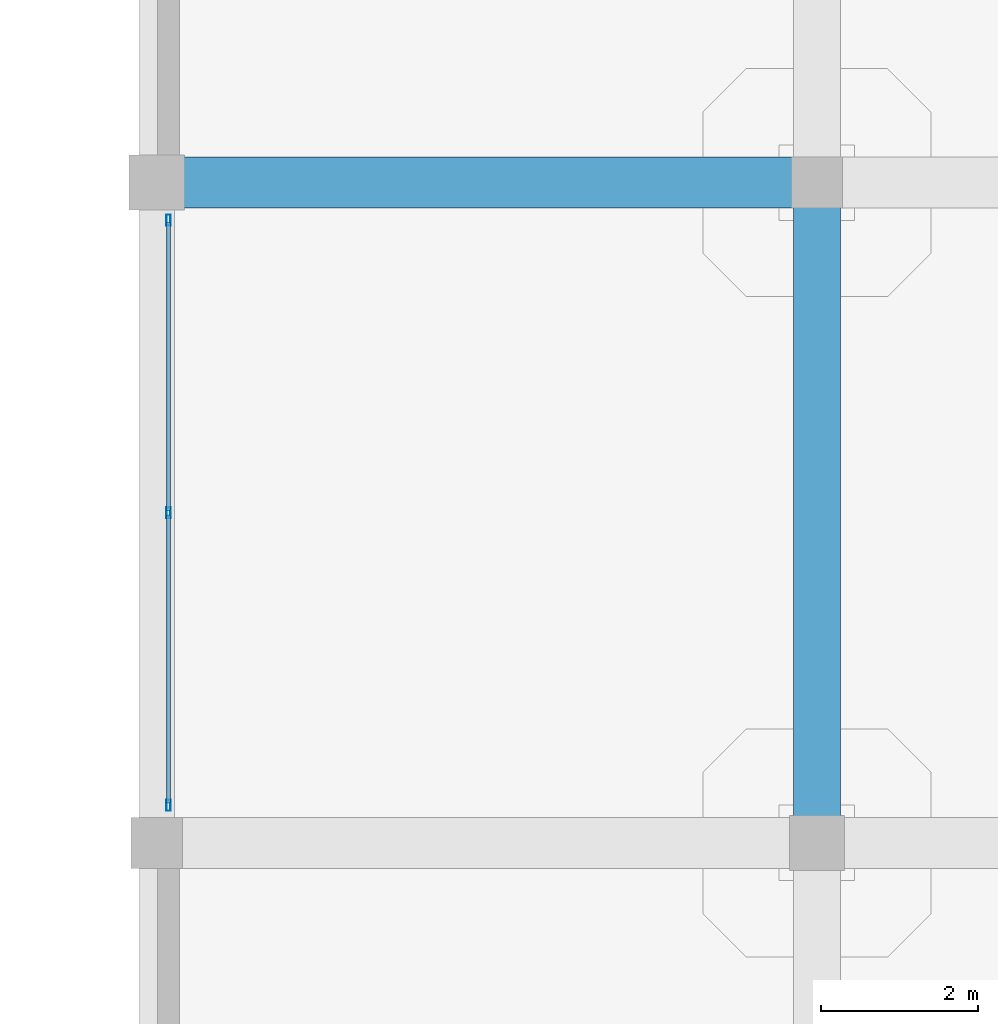
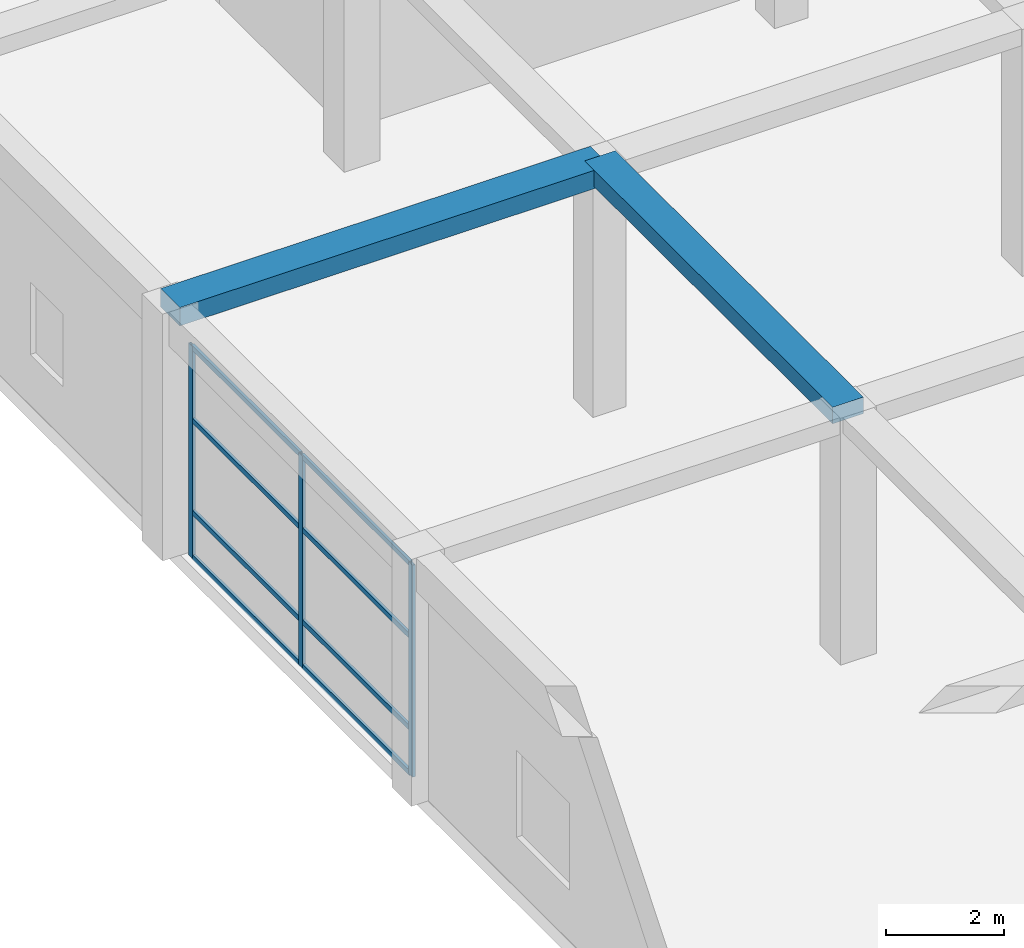
# One storey, part 31 of 96: 11 members, 2 beams, 1 element without a shape of its own.
"""IFC4 building model written with IfcOpenShell, lengths in metres."""

from ifc_helpers import new_model, si_unit, direction, frame, origin, origin_2d, place, context, subcontext, project, spatial, rectangle, hollow_rectangle, extrude, material, material_profile, profile_set, type_object, element, aggregate, save


model = new_model("IFC4")

# Units and contexts
model_context = context("Model", 3, precision=1e-05, world=origin(), true_north=direction((0.0, 1.0)))
body_context = subcontext(model_context, "Body", "Model", "MODEL_VIEW")
ifc_project = project(units=[si_unit("LENGTHUNIT", "METRE"), si_unit("AREAUNIT", "SQUARE_METRE"), si_unit("VOLUMEUNIT", "CUBIC_METRE"), si_unit("PLANEANGLEUNIT", "RADIAN"), si_unit("MASSUNIT", "GRAM", prefix="KILO")], contexts=[model_context])

# Site, building, storey
site_placement = place(None, origin())
site = spatial("IfcSite", under=ifc_project, at=site_placement, CompositionType="ELEMENT")
building_placement = place(site_placement, origin())
building = spatial("IfcBuilding", under=site, at=building_placement, Name="Almacenes y Pasaje Nevantli", CompositionType="ELEMENT")
storey_placement = place(building_placement, frame((0.0, 0.0, 6.0)))
storey = spatial("IfcBuildingStorey", under=building, at=storey_placement, Name="L02", CompositionType="ELEMENT", Elevation=6.0)

# Beams
ifc_material_1 = material(Name="Concrete C35/45", Category="concrete")
ifc_material_profile_1 = material_profile(ifc_material_1, rectangle(XDim=0.60009765625, YDim=0.340087890625, at=origin_2d()), Name="RC-BM-600x340")
ifc_profile_set_1 = profile_set([ifc_material_profile_1], Name="Concrete C35/45")
beam_type_1 = type_object("IfcBeamType", Name="BM-RC-600x340", PredefinedType="BEAM", material=ifc_profile_set_1)
beam_1_placement = place(storey_placement, frame((8.39990234375, 75.60009765625, 4.929931640625), z_axis=(0.0, 1.0, 0.0), x_axis=(-1.0, 0.0, 0.0)))
element("IfcBeam", 1, at=beam_1_placement, inside=storey, type_object=beam_type_1, Name="L02 North-South Reinforced Concrete Beam #1983", PredefinedType="BEAM", context=body_context, shape_type="SweptSolid", body=[
    extrude(rectangle(XDim=0.60009765625, YDim=0.340087890625, at=origin_2d()), origin(), (0.0, 0.0, 1.0), 8.39990234375),
])
ifc_material_2 = material(Name="Concrete C35/45", Category="concrete")
ifc_material_profile_2 = material_profile(ifc_material_2, rectangle(XDim=0.64990234375, YDim=0.3798828125, at=origin_2d()), Name="RC-BM-650x380")
ifc_profile_set_2 = profile_set([ifc_material_profile_2], Name="Concrete C35/45")
beam_type_2 = type_object("IfcBeamType", Name="BM-RC-650x380", PredefinedType="BEAM", material=ifc_profile_set_2)
beam_2_placement = place(storey_placement, frame((0.0, 84.0, 4.909912109375), z_axis=(1.0, 0.0, 0.0), x_axis=(0.0, 1.0, 0.0)))
element("IfcBeam", 2, at=beam_2_placement, inside=storey, type_object=beam_type_2, Name="L02 East-West Reinforced Concrete Beam #1878", PredefinedType="BEAM", context=body_context, shape_type="SweptSolid", body=[
    extrude(rectangle(XDim=0.64990234375, YDim=0.3798828125, at=origin_2d()), origin(), (0.0, 0.0, 1.0), 8.39990234375),
])

# Curtain wall, members
ifc_material_3 = material(Name="Thermally Broken Aluminium and Low-E Glass", Category="aluminium")
curtain_wall_type = type_object("IfcCurtainWallType", Name="CW-UNIT-PODIUM", PredefinedType="USERDEFINED", material=ifc_material_3)
curtain_wall_placement = place(storey_placement, origin())
curtain_wall = element("IfcCurtainWall", 3, at=curtain_wall_placement, inside=storey, type_object=curtain_wall_type, Name="L02 West Avenue Unitized Curtain Wall Bay 10", ObjectType="UNITIZED CURTAIN WALL", PredefinedType="USERDEFINED")
ifc_material_4 = material(Name="Thermally Broken Anodized Aluminium", Category="aluminium")
ifc_material_profile_3 = material_profile(ifc_material_4, hollow_rectangle(XDim=0.054931640625, YDim=0.139892578125, WallThickness=0.00341796875, at=origin_2d()), Name="ALU-MUL-55x140")
ifc_profile_set_3 = profile_set([ifc_material_profile_3], Name="Thermally Broken Anodized Aluminium")
member_type_1 = type_object("IfcMemberType", Name="CW-MUL-160", PredefinedType="MULLION", material=ifc_profile_set_3)
member_1_placement = place(storey_placement, frame((0.14990234375, 76.077392578125, 0.0), z_axis=(0.0, 0.0, 1.0), x_axis=(-1.0, 0.0, 0.0)))
member_1 = element("IfcMember", 4, at=member_1_placement, type_object=member_type_1, Name="CW-L02-018 mullion 1", PredefinedType="MULLION", context=body_context, shape_type="SweptSolid", body=[
    extrude(hollow_rectangle(XDim=0.054931640625, YDim=0.139892578125, WallThickness=0.00341796875, at=origin_2d()), origin(), (0.0, 0.0, 1.0), 4.3798828125),
])
member_2_placement = place(storey_placement, frame((0.14990234375, 79.800048828125, 0.0), z_axis=(0.0, 0.0, 1.0), x_axis=(-1.0, 0.0, 0.0)))
member_2 = element("IfcMember", 5, at=member_2_placement, type_object=member_type_1, Name="CW-L02-018 mullion 2", PredefinedType="MULLION", context=body_context, shape_type="SweptSolid", body=[
    extrude(hollow_rectangle(XDim=0.054931640625, YDim=0.139892578125, WallThickness=0.00341796875, at=origin_2d()), origin(), (0.0, 0.0, 1.0), 4.3798828125),
])
member_3_placement = place(storey_placement, frame((0.14990234375, 83.5224609375, 0.0), z_axis=(0.0, 0.0, 1.0), x_axis=(-1.0, 0.0, 0.0)))
member_3 = element("IfcMember", 6, at=member_3_placement, type_object=member_type_1, Name="CW-L02-018 mullion 3", PredefinedType="MULLION", context=body_context, shape_type="SweptSolid", body=[
    extrude(hollow_rectangle(XDim=0.054931640625, YDim=0.139892578125, WallThickness=0.00341796875, at=origin_2d()), origin(), (0.0, 0.0, 1.0), 4.3798828125),
])
ifc_material_5 = material(Name="Thermally Broken Anodized Aluminium", Category="aluminium")
ifc_material_profile_4 = material_profile(ifc_material_5, hollow_rectangle(XDim=0.054931640625, YDim=0.10498046875, WallThickness=0.003173828125, at=origin_2d()), Name="ALU-TRN-55x105")
ifc_profile_set_4 = profile_set([ifc_material_profile_4], Name="Thermally Broken Anodized Aluminium")
member_type_2 = type_object("IfcMemberType", Name="CW-TRN-120", PredefinedType="USERDEFINED", material=ifc_profile_set_4)
member_4_placement = place(storey_placement, frame((0.14990234375, 76.10498046875, 0.027587890625), z_axis=(0.0, 1.0, 0.0), x_axis=(-1.0, 0.0, 0.0)))
member_4 = element("IfcMember", 7, at=member_4_placement, type_object=member_type_2, Name="CW-L02-018 transom 1.1", ObjectType="TRANSOM", PredefinedType="USERDEFINED", context=body_context, shape_type="SweptSolid", body=[
    extrude(hollow_rectangle(XDim=0.054931640625, YDim=0.10498046875, WallThickness=0.003173828125, at=origin_2d()), origin(), (0.0, 0.0, 1.0), 3.66748046875),
])
member_5_placement = place(storey_placement, frame((0.14990234375, 76.10498046875, 0.949951171875), z_axis=(0.0, 1.0, 0.0), x_axis=(-1.0, 0.0, 0.0)))
member_5 = element("IfcMember", 8, at=member_5_placement, type_object=member_type_2, Name="CW-L02-018 transom 1.2", ObjectType="TRANSOM", PredefinedType="USERDEFINED", context=body_context, shape_type="SweptSolid", body=[
    extrude(hollow_rectangle(XDim=0.054931640625, YDim=0.10498046875, WallThickness=0.003173828125, at=origin_2d()), origin(), (0.0, 0.0, 1.0), 3.66748046875),
])
member_6_placement = place(storey_placement, frame((0.14990234375, 76.10498046875, 2.85009765625), z_axis=(0.0, 1.0, 0.0), x_axis=(-1.0, 0.0, 0.0)))
member_6 = element("IfcMember", 9, at=member_6_placement, type_object=member_type_2, Name="CW-L02-018 transom 1.3", ObjectType="TRANSOM", PredefinedType="USERDEFINED", context=body_context, shape_type="SweptSolid", body=[
    extrude(hollow_rectangle(XDim=0.054931640625, YDim=0.10498046875, WallThickness=0.003173828125, at=origin_2d()), origin(), (0.0, 0.0, 1.0), 3.66748046875),
])
member_7_placement = place(storey_placement, frame((0.14990234375, 76.10498046875, 4.3525390625), z_axis=(0.0, 1.0, 0.0), x_axis=(-1.0, 0.0, 0.0)))
member_7 = element("IfcMember", 10, at=member_7_placement, type_object=member_type_2, Name="CW-L02-018 transom 1.4", ObjectType="TRANSOM", PredefinedType="USERDEFINED", context=body_context, shape_type="SweptSolid", body=[
    extrude(hollow_rectangle(XDim=0.054931640625, YDim=0.10498046875, WallThickness=0.003173828125, at=origin_2d()), origin(), (0.0, 0.0, 1.0), 3.66748046875),
])
member_8_placement = place(storey_placement, frame((0.14990234375, 79.827392578125, 0.027587890625), z_axis=(0.0, 1.0, 0.0), x_axis=(-1.0, 0.0, 0.0)))
member_8 = element("IfcMember", 11, at=member_8_placement, type_object=member_type_2, Name="CW-L02-018 transom 2.1", ObjectType="TRANSOM", PredefinedType="USERDEFINED", context=body_context, shape_type="SweptSolid", body=[
    extrude(hollow_rectangle(XDim=0.054931640625, YDim=0.10498046875, WallThickness=0.003173828125, at=origin_2d()), origin(), (0.0, 0.0, 1.0), 3.667724609375),
])
member_9_placement = place(storey_placement, frame((0.14990234375, 79.827392578125, 0.949951171875), z_axis=(0.0, 1.0, 0.0), x_axis=(-1.0, 0.0, 0.0)))
member_9 = element("IfcMember", 12, at=member_9_placement, type_object=member_type_2, Name="CW-L02-018 transom 2.2", ObjectType="TRANSOM", PredefinedType="USERDEFINED", context=body_context, shape_type="SweptSolid", body=[
    extrude(hollow_rectangle(XDim=0.054931640625, YDim=0.10498046875, WallThickness=0.003173828125, at=origin_2d()), origin(), (0.0, 0.0, 1.0), 3.667724609375),
])
member_10_placement = place(storey_placement, frame((0.14990234375, 79.827392578125, 2.85009765625), z_axis=(0.0, 1.0, 0.0), x_axis=(-1.0, 0.0, 0.0)))
member_10 = element("IfcMember", 13, at=member_10_placement, type_object=member_type_2, Name="CW-L02-018 transom 2.3", ObjectType="TRANSOM", PredefinedType="USERDEFINED", context=body_context, shape_type="SweptSolid", body=[
    extrude(hollow_rectangle(XDim=0.054931640625, YDim=0.10498046875, WallThickness=0.003173828125, at=origin_2d()), origin(), (0.0, 0.0, 1.0), 3.667724609375),
])
member_11_placement = place(storey_placement, frame((0.14990234375, 79.827392578125, 4.3525390625), z_axis=(0.0, 1.0, 0.0), x_axis=(-1.0, 0.0, 0.0)))
member_11 = element("IfcMember", 14, at=member_11_placement, type_object=member_type_2, Name="CW-L02-018 transom 2.4", ObjectType="TRANSOM", PredefinedType="USERDEFINED", context=body_context, shape_type="SweptSolid", body=[
    extrude(hollow_rectangle(XDim=0.054931640625, YDim=0.10498046875, WallThickness=0.003173828125, at=origin_2d()), origin(), (0.0, 0.0, 1.0), 3.667724609375),
])
aggregate(curtain_wall, [member_1, member_2, member_3, member_4, member_5, member_6, member_7, member_8, member_9, member_10, member_11])

save(model, "model.ifc")
